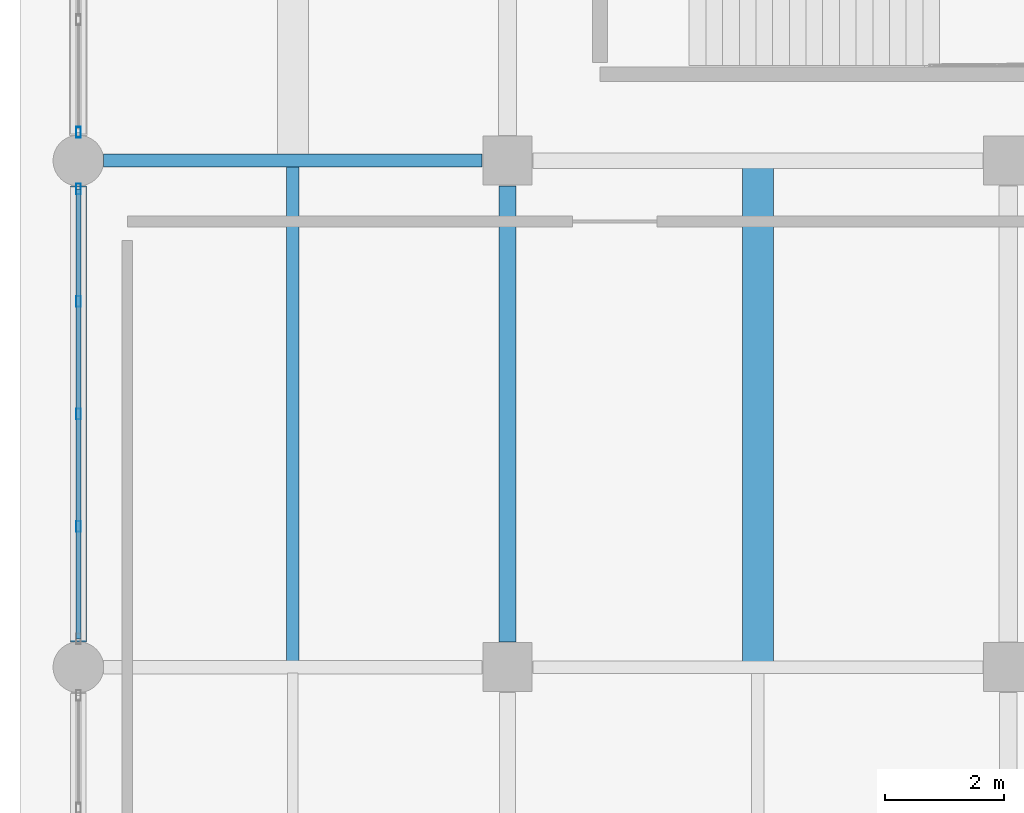
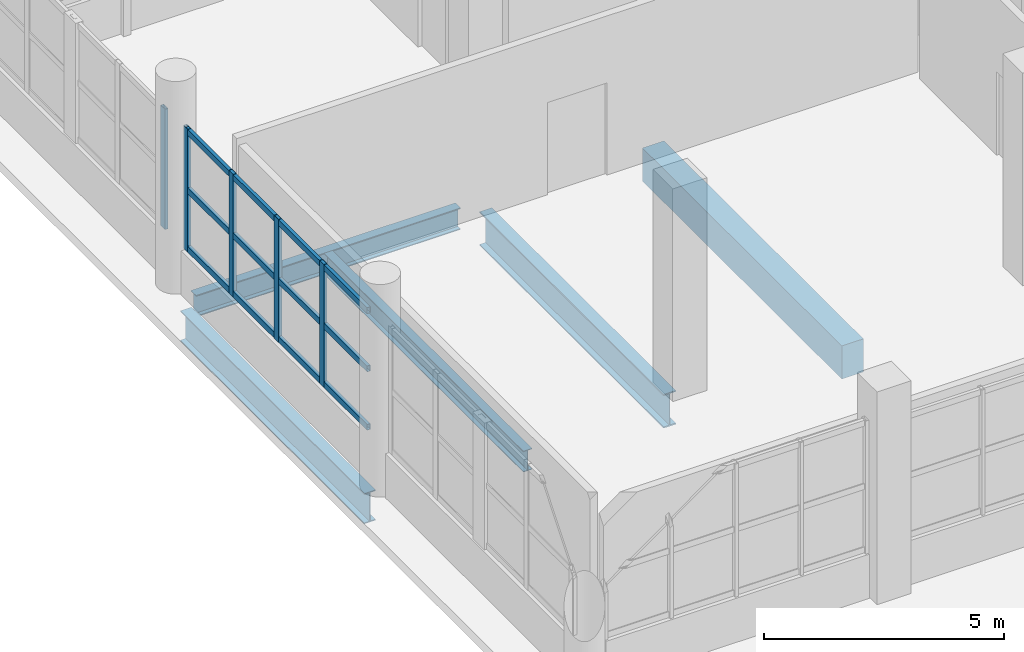
# One storey, part 24 of 107: 8 members, 5 beams, 2 elements without a shape of their own.
"""IFC4 building model written with IfcOpenShell, lengths in metres."""

import ifcopenshell
import ifcopenshell.guid

model = None  # the IFC model being written
_history = None  # IfcOwnerHistory: only IFC2X3 demands one
_inside = {}  # id of a spatial element -> (the spatial element, [elements in it])
_under = {}  # id of a project, library or spatial element -> (it, [spatial elements below it])
_declared = {}  # id of a project -> (the project, [libraries it declares])
_typed = {}  # id of a type object -> (the type object, [elements of that type])
_made_of = {}  # id of a material, layer set ... -> (it, [elements and type objects made of it])


def new_model(schema):
    """Start an empty IFC model of exactly this schema.

    Asked for "IFC4X3", IfcOpenShell would pick the latest addendum, in which some entities
    have other attributes; the version numbers below select the first issue.
    IFC2X3 requires an IfcOwnerHistory on every rooted entity: one is made here for all.
    """
    global model, _history
    if schema == "IFC4X3":
        model = ifcopenshell.file(schema_version=(4, 3, 0, 0))
    else:
        model = ifcopenshell.file(schema=schema)
    _inside.clear()
    _under.clear()
    _declared.clear()
    _typed.clear()
    _made_of.clear()
    _history = None
    if model.schema == "IFC2X3":
        org = make("IfcOrganization", Name="unknown")
        user = make(
            "IfcPersonAndOrganization",
            ThePerson=make("IfcPerson", FamilyName="unknown"),
            TheOrganization=org,
        )
        app = make(
            "IfcApplication",
            ApplicationDeveloper=org,
            Version="unknown",
            ApplicationFullName="unknown",
            ApplicationIdentifier="unknown",
        )
        _history = make(
            "IfcOwnerHistory",
            OwningUser=user,
            OwningApplication=app,
            ChangeAction="ADDED",
            CreationDate=0,
        )
    return model


def make(cls, **values):
    """One entity of the class cls with the attributes given. An attribute that is None is left unset."""
    return model.create_entity(
        cls, **{name: value for name, value in values.items() if value is not None}
    )


def rooted(cls, **values):
    """An entity with a GlobalId (a new one), such as an element, a storey or a relation."""
    return make(cls, GlobalId=ifcopenshell.guid.new(), OwnerHistory=_history, **values)


def si_unit(unit_type, name, prefix=None):
    """IfcSIUnit, for example si_unit("LENGTHUNIT", "METRE", prefix="MILLI")."""
    return make("IfcSIUnit", UnitType=unit_type, Prefix=prefix, Name=name)


def assignment(units):
    """IfcUnitAssignment: the units of a project."""
    return None if units is None else make("IfcUnitAssignment", Units=units)


def point(xyz):
    """IfcCartesianPoint."""
    return None if xyz is None else make("IfcCartesianPoint", Coordinates=xyz)


def direction(xyz):
    """IfcDirection."""
    return None if xyz is None else make("IfcDirection", DirectionRatios=xyz)


def frame(location, z_axis=None, x_axis=None):
    """IfcAxis2Placement3D, a coordinate frame: its origin and axes. An axis left out is left unset."""
    return make(
        "IfcAxis2Placement3D",
        Location=point(location),
        Axis=direction(z_axis),
        RefDirection=direction(x_axis),
    )


def frame_2d(location, x_axis=None):
    """IfcAxis2Placement2D, a coordinate frame in the plane: its origin and x axis."""
    return make(
        "IfcAxis2Placement2D", Location=point(location), RefDirection=direction(x_axis)
    )


def origin():
    """The frame at (0, 0, 0) with its axes left unset."""
    return frame((0.0, 0.0, 0.0))


def origin_2d():
    """The frame at (0, 0) in the plane with its x axis left unset."""
    return frame_2d((0.0, 0.0))


def place(relative_to, where):
    """IfcLocalPlacement: puts the frame where relative to a parent placement (None: the world)."""
    return make(
        "IfcLocalPlacement", PlacementRelTo=relative_to, RelativePlacement=where
    )


def context(
    kind, dimensions, precision=None, world=None, true_north=None, identifier=None
):
    """IfcGeometricRepresentationContext, for example the 3D "Model" context."""
    return make(
        "IfcGeometricRepresentationContext",
        ContextIdentifier=identifier,
        ContextType=kind,
        CoordinateSpaceDimension=dimensions,
        Precision=precision,
        WorldCoordinateSystem=world,
        TrueNorth=true_north,
    )


def subcontext(parent, identifier, kind, view, scale=None):
    """IfcGeometricRepresentationSubContext, for example "Body" below "Model"."""
    return make(
        "IfcGeometricRepresentationSubContext",
        ContextIdentifier=identifier,
        ContextType=kind,
        ParentContext=parent,
        TargetScale=scale,
        TargetView=view,
    )


def project(units=None, contexts=None):
    """IfcProject with its units and contexts."""
    return rooted(
        "IfcProject",
        Name="project",
        RepresentationContexts=contexts,
        UnitsInContext=assignment(units),
    )


def spatial(cls, under=None, at=None, **own):
    """A site, building, storey or space (cls), placed at a placement, below another one or the project."""
    s = rooted(cls, ObjectPlacement=at, **own)
    if under is not None:
        _under.setdefault(under.id(), (under, []))[1].append(s)
    return s


def profile(cls, at=None, kind="AREA", **sizes):
    """A parametric profile (cls). Its sizes go by their IFC names, for example OverallWidth=200.0."""
    return make(cls, ProfileType=kind, Position=at, **sizes)


def rectangle(**sizes):
    """IfcRectangleProfileDef."""
    return profile("IfcRectangleProfileDef", **sizes)


def hollow_rectangle(**sizes):
    """IfcRectangleHollowProfileDef."""
    return profile("IfcRectangleHollowProfileDef", **sizes)


def i_section(**sizes):
    """IfcIShapeProfileDef."""
    return profile("IfcIShapeProfileDef", **sizes)


def extrude(swept, where, along, depth):
    """IfcExtrudedAreaSolid: the profile swept, set in the frame where, extruded along a direction by depth."""
    return make(
        "IfcExtrudedAreaSolid",
        SweptArea=swept,
        Position=where,
        ExtrudedDirection=direction(along),
        Depth=depth,
    )


def shape(context_of_items, identifier, shape_type, items):
    """IfcShapeRepresentation: the items that make up one representation, for example the "Body"."""
    return make(
        "IfcShapeRepresentation",
        ContextOfItems=context_of_items,
        RepresentationIdentifier=identifier,
        RepresentationType=shape_type,
        Items=items,
    )


def material(Name=None, Category=None):
    """IfcMaterial."""
    return make("IfcMaterial", Name=Name, Category=Category)


def material_profile(
    of_material, cross_section, Name=None, Category=None, Priority=None
):
    """IfcMaterialProfile: a cross section and its material."""
    return make(
        "IfcMaterialProfile",
        Name=Name,
        Material=of_material,
        Profile=cross_section,
        Priority=Priority,
        Category=Category,
    )


def profile_set(profiles, Name=None, composite=None):
    """IfcMaterialProfileSet."""
    return make(
        "IfcMaterialProfileSet",
        Name=Name,
        MaterialProfiles=profiles,
        CompositeProfile=composite,
    )


def made_of(thing, what):
    """Note that an element or type object is made of a material, layer set ...; save() writes the relation."""
    if what is not None:
        _made_of.setdefault(what.id(), (what, []))[1].append(thing)
    return thing


def type_object(cls, material=None, **own):
    """A type object (cls), such as IfcWallType, which elements share."""
    return made_of(rooted(cls, **own), material)


def element(
    cls,
    number,
    at=None,
    inside=None,
    cuts=None,
    type_object=None,
    material=None,
    context=None,
    identifier="Body",
    shape_type=None,
    held_by="IfcProductDefinitionShape",
    body=None,
    shapes=None,
    **own,
):
    """One element of the class cls, such as IfcWall. Its Tag is "e" and its number.

    at: its placement. inside: the storey or other place that contains it. cuts: it is an
    opening in that element (IfcRelVoidsElement). A single representation is given by context,
    identifier, shape_type and body (its items); several are given by shapes. held_by: the class
    of the entity that holds the representations. save() writes the other relations.
    """
    e = rooted(cls, Tag="e%d" % number, ObjectPlacement=at, **own)
    if body is not None:
        shapes = [shape(context, identifier, shape_type, body)]
    if shapes is not None:
        e.Representation = make(held_by, Representations=shapes)
    if inside is not None:
        _inside.setdefault(inside.id(), (inside, []))[1].append(e)
    if cuts is not None:
        rooted(
            "IfcRelVoidsElement", RelatingBuildingElement=cuts, RelatedOpeningElement=e
        )
    if type_object is not None:
        _typed.setdefault(type_object.id(), (type_object, []))[1].append(e)
    return made_of(e, material)


def aggregate(whole, parts):
    """IfcRelAggregates: a whole, such as a stair, and the parts it consists of."""
    return rooted("IfcRelAggregates", RelatingObject=whole, RelatedObjects=parts)


def save(model, path):
    """Write the relations noted so far, then the file.

    IfcRelAggregates (storeys below a building ...), IfcRelContainedInSpatialStructure (elements
    in a storey), IfcRelDefinesByType, IfcRelAssociatesMaterial and IfcRelDeclares: one each for
    every whole, place, type object, material and project.
    """
    for whole, parts in _under.values():
        aggregate(whole, parts)
    for where, things in _inside.values():
        rooted(
            "IfcRelContainedInSpatialStructure",
            RelatedElements=things,
            RelatingStructure=where,
        )
    for kind, things in _typed.values():
        rooted("IfcRelDefinesByType", RelatedObjects=things, RelatingType=kind)
    for what, things in _made_of.values():
        rooted("IfcRelAssociatesMaterial", RelatedObjects=things, RelatingMaterial=what)
    for by, libraries in _declared.values():
        rooted("IfcRelDeclares", RelatingContext=by, RelatedDefinitions=libraries)
    model.write(path)


model = new_model("IFC4")

# Units and contexts
model_context = context("Model", 3, precision=1e-05, world=origin(), true_north=direction((0.0, 1.0)))
body_context = subcontext(model_context, "Body", "Model", "MODEL_VIEW")
ifc_project = project(units=[si_unit("LENGTHUNIT", "METRE"), si_unit("AREAUNIT", "SQUARE_METRE"), si_unit("VOLUMEUNIT", "CUBIC_METRE"), si_unit("PLANEANGLEUNIT", "RADIAN"), si_unit("MASSUNIT", "GRAM", prefix="KILO")], contexts=[model_context])

# Site, building, storey
site_placement = place(None, origin())
site = spatial("IfcSite", under=ifc_project, at=site_placement, CompositionType="ELEMENT")
building_placement = place(site_placement, origin())
building = spatial("IfcBuilding", under=site, at=building_placement, Name="Solvento Point Concert Hall", CompositionType="ELEMENT")
storey_placement = place(building_placement, origin())
storey = spatial("IfcBuildingStorey", under=building, at=storey_placement, Name="L00", CompositionType="ELEMENT", Elevation=0.0)

# Beams
ifc_material_1 = material(Name="Concrete C35/45", Category="concrete")
ifc_material_profile_1 = material_profile(ifc_material_1, rectangle(XDim=0.52001953125, YDim=0.840087890625, at=origin_2d()), Name="RC-BM-520X840")
ifc_profile_set_1 = profile_set([ifc_material_profile_1], Name="Concrete C35/45")
beam_type_1 = type_object("IfcBeamType", Name="Beam_RC_520x840", PredefinedType="BEAM", material=ifc_profile_set_1)
beam_1_placement = place(storey_placement, frame((11.39990234375, 119.092041015625, -0.833984375), z_axis=(0.0, 1.0, 0.0), x_axis=(-1.0, 0.0, 0.0)))
element("IfcBeam", 1, at=beam_1_placement, inside=storey, type_object=beam_type_1, Name="Secondary floor joist B-54 L00", PredefinedType="BEAM", context=body_context, shape_type="SweptSolid", body=[
    extrude(rectangle(XDim=0.52001953125, YDim=0.840087890625, at=origin_2d()), origin(), (0.0, 0.0, 1.0), 8.294921875),
])
ifc_material_2 = material(Name="Structural Steel ASTM A992 Grade 50", Category="steel")
ifc_material_profile_2 = material_profile(ifc_material_2, i_section(OverallWidth=0.20947265625, OverallDepth=0.532958984375, WebThickness=0.01025390625, FlangeThickness=0.015625, at=origin_2d()), Name="W21X62")
ifc_profile_set_2 = profile_set([ifc_material_profile_2], Name="Structural Steel ASTM A992 Grade 50")
beam_type_2 = type_object("IfcBeamType", Name="Beam_W21X62", PredefinedType="BEAM", material=ifc_profile_set_2)
beam_2_placement = place(storey_placement, frame((3.60009765625, 119.09912109375, -0.680419921875), z_axis=(0.0, 1.0, 0.0), x_axis=(-1.0, 0.0, 0.0)))
element("IfcBeam", 2, at=beam_2_placement, inside=storey, type_object=beam_type_2, Name="Secondary floor joist B-25 L00", PredefinedType="BEAM", context=body_context, shape_type="SweptSolid", body=[
    extrude(i_section(OverallWidth=0.20947265625, OverallDepth=0.532958984375, WebThickness=0.01025390625, FlangeThickness=0.015625, at=origin_2d()), origin(), (0.0, 0.0, 1.0), 8.308837890625),
])
ifc_material_3 = material(Name="Structural Steel ASTM A992 Grade 50", Category="steel")
ifc_material_profile_3 = material_profile(ifc_material_3, i_section(OverallWidth=0.214111328125, OverallDepth=0.549072265625, WebThickness=0.0146484375, FlangeThickness=0.023681640625, at=origin_2d()), Name="W21X93")
ifc_profile_set_3 = profile_set([ifc_material_profile_3], Name="Structural Steel ASTM A992 Grade 50")
beam_type_3 = type_object("IfcBeamType", Name="Beam_W21X93", PredefinedType="BEAM", material=ifc_profile_set_3)
beam_3_placement = place(storey_placement, frame((0.424072265625, 127.5, -0.6884765625), z_axis=(1.0, 0.0, 0.0), x_axis=(0.0, 1.0, 0.0)))
element("IfcBeam", 3, at=beam_3_placement, inside=storey, type_object=beam_type_3, Name="Primary girder B-48 L00", PredefinedType="BEAM", context=body_context, shape_type="SweptSolid", body=[
    extrude(i_section(OverallWidth=0.214111328125, OverallDepth=0.549072265625, WebThickness=0.0146484375, FlangeThickness=0.023681640625, at=origin_2d()), origin(), (0.0, 0.0, 1.0), 6.351806640625),
])
ifc_material_4 = material(Name="Structural Steel ASTM A992 Grade 50", Category="steel")
ifc_material_profile_4 = material_profile(ifc_material_4, i_section(OverallWidth=0.26806640625, OverallDepth=0.77001953125, WebThickness=0.015625, FlangeThickness=0.025390625, at=origin_2d()), Name="W30X132")
ifc_profile_set_4 = profile_set([ifc_material_profile_4], Name="Structural Steel ASTM A992 Grade 50")
beam_type_4 = type_object("IfcBeamType", Name="Girder_W30X132", PredefinedType="USERDEFINED", material=ifc_profile_set_4)
beam_4_placement = place(storey_placement, frame((0.0, 119.424072265625, -0.799072265625), z_axis=(0.0, 1.0, 0.0), x_axis=(-1.0, 0.0, 0.0)))
element("IfcBeam", 4, at=beam_4_placement, inside=storey, type_object=beam_type_4, Name="Primary girder B-68 L00", ObjectType="GIRDER", PredefinedType="USERDEFINED", context=body_context, shape_type="SweptSolid", body=[
    extrude(i_section(OverallWidth=0.26806640625, OverallDepth=0.77001953125, WebThickness=0.015625, FlangeThickness=0.025390625, at=origin_2d()), origin(), (0.0, 0.0, 1.0), 7.65185546875),
])
ifc_material_5 = material(Name="Structural Steel ASTM A992 Grade 50", Category="steel")
ifc_material_profile_5 = material_profile(ifc_material_5, i_section(OverallWidth=0.2919921875, OverallDepth=0.85888671875, WebThickness=0.01708984375, FlangeThickness=0.031005859375, at=origin_2d()), Name="W33X169")
ifc_profile_set_5 = profile_set([ifc_material_profile_5], Name="Structural Steel ASTM A992 Grade 50")
beam_type_5 = type_object("IfcBeamType", Name="Girder_W33X169", PredefinedType="USERDEFINED", material=ifc_profile_set_5)
beam_5_placement = place(storey_placement, frame((7.199951171875, 119.424072265625, -0.843505859375), z_axis=(0.0, 1.0, 0.0), x_axis=(-1.0, 0.0, 0.0)))
element("IfcBeam", 5, at=beam_5_placement, inside=storey, type_object=beam_type_5, Name="Primary girder B-33 L00", ObjectType="GIRDER", PredefinedType="USERDEFINED", context=body_context, shape_type="SweptSolid", body=[
    extrude(i_section(OverallWidth=0.2919921875, OverallDepth=0.85888671875, WebThickness=0.01708984375, FlangeThickness=0.031005859375, at=origin_2d()), origin(), (0.0, 0.0, 1.0), 7.65185546875),
])

# Curtain wall, members
ifc_material_6 = material(Name="Anodized Bronze Aluminium", Category="aluminium")
curtain_wall_type = type_object("IfcCurtainWallType", Name="CurtainWall_CourtPilotis", PredefinedType="USERDEFINED", material=ifc_material_6)
curtain_wall_1_placement = place(storey_placement, origin())
curtain_wall_1 = element("IfcCurtainWall", 6, at=curtain_wall_1_placement, inside=storey, type_object=curtain_wall_type, Name="Unitised curtain wall CW-96 UCW-L00-071", ObjectType="UNITISED CURTAIN WALL", PredefinedType="USERDEFINED")
ifc_material_7 = material(Name="Anodized Bronze Aluminium", Category="aluminium")
ifc_material_profile_6 = material_profile(ifc_material_7, hollow_rectangle(XDim=0.080078125, YDim=0.179931640625, WallThickness=0.00390625, at=origin_2d()), Name="CW-MUL-80X180")
ifc_profile_set_6 = profile_set([ifc_material_profile_6], Name="Anodized Bronze Aluminium")
member_type_1 = type_object("IfcMemberType", Name="Mullion_80x180", PredefinedType="MULLION", material=ifc_profile_set_6)
member_1_placement = place(storey_placement, frame((0.0, 121.362548828125, 1.1201171875), z_axis=(0.0, 0.0, 1.0), x_axis=(1.0, 0.0, 0.0)))
member_1 = element("IfcMember", 7, at=member_1_placement, type_object=member_type_1, Name="Curtain wall mullion ML-01", PredefinedType="MULLION", context=body_context, shape_type="SweptSolid", body=[
    extrude(hollow_rectangle(XDim=0.080078125, YDim=0.179931640625, WallThickness=0.00390625, at=origin_2d()), origin(), (0.0, 0.0, 1.0), 3.125),
])
member_2_placement = place(storey_placement, frame((0.0, 123.25, 1.1201171875), z_axis=(0.0, 0.0, 1.0), x_axis=(1.0, 0.0, 0.0)))
member_2 = element("IfcMember", 8, at=member_2_placement, type_object=member_type_1, Name="Curtain wall mullion ML-01", PredefinedType="MULLION", context=body_context, shape_type="SweptSolid", body=[
    extrude(hollow_rectangle(XDim=0.080078125, YDim=0.179931640625, WallThickness=0.00390625, at=origin_2d()), origin(), (0.0, 0.0, 1.0), 3.125),
])
member_3_placement = place(storey_placement, frame((0.0, 125.137451171875, 1.1201171875), z_axis=(0.0, 0.0, 1.0), x_axis=(1.0, 0.0, 0.0)))
member_3 = element("IfcMember", 9, at=member_3_placement, type_object=member_type_1, Name="Curtain wall mullion ML-01", PredefinedType="MULLION", context=body_context, shape_type="SweptSolid", body=[
    extrude(hollow_rectangle(XDim=0.080078125, YDim=0.179931640625, WallThickness=0.00390625, at=origin_2d()), origin(), (0.0, 0.0, 1.0), 3.125),
])
member_4_placement = place(storey_placement, frame((0.0, 127.02490234375, 1.1201171875), z_axis=(0.0, 0.0, 1.0), x_axis=(1.0, 0.0, 0.0)))
member_4 = element("IfcMember", 10, at=member_4_placement, type_object=member_type_1, Name="Curtain wall mullion ML-01", PredefinedType="MULLION", context=body_context, shape_type="SweptSolid", body=[
    extrude(hollow_rectangle(XDim=0.080078125, YDim=0.179931640625, WallThickness=0.00390625, at=origin_2d()), origin(), (0.0, 0.0, 1.0), 3.125),
])

# Curtain wall, member
curtain_wall_2_placement = place(storey_placement, origin())
curtain_wall_2 = element("IfcCurtainWall", 11, at=curtain_wall_2_placement, inside=storey, type_object=curtain_wall_type, Name="Unitised curtain wall CW-96 UCW-L00-072", ObjectType="UNITISED CURTAIN WALL", PredefinedType="USERDEFINED")
member_5_placement = place(storey_placement, frame((0.0, 127.97509765625, 1.1201171875), z_axis=(0.0, 0.0, 1.0), x_axis=(1.0, 0.0, 0.0)))
member_5 = element("IfcMember", 12, at=member_5_placement, type_object=member_type_1, Name="Curtain wall mullion ML-01", PredefinedType="MULLION", context=body_context, shape_type="SweptSolid", body=[
    extrude(hollow_rectangle(XDim=0.080078125, YDim=0.179931640625, WallThickness=0.00390625, at=origin_2d()), origin(), (0.0, 0.0, 1.0), 3.056884765625),
])
aggregate(curtain_wall_2, [member_5])

# Member
ifc_material_8 = material(Name="Anodized Bronze Aluminium", Category="aluminium")
ifc_material_profile_7 = material_profile(ifc_material_8, hollow_rectangle(XDim=0.080078125, YDim=0.14990234375, WallThickness=0.00390625, at=origin_2d()), Name="CW-TRN-80X150")
ifc_profile_set_7 = profile_set([ifc_material_profile_7], Name="Anodized Bronze Aluminium")
member_type_2 = type_object("IfcMemberType", Name="Transom_80x150", PredefinedType="USERDEFINED", material=ifc_profile_set_7)
member_6_placement = place(storey_placement, frame((0.0, 119.47509765625, 1.199951171875), z_axis=(0.0, 1.0, 0.0), x_axis=(-1.0, 0.0, 0.0)))
member_6 = element("IfcMember", 13, at=member_6_placement, type_object=member_type_2, Name="Curtain wall transom TR-01", ObjectType="TRANSOM", PredefinedType="USERDEFINED", context=body_context, shape_type="SweptSolid", body=[
    extrude(hollow_rectangle(XDim=0.080078125, YDim=0.14990234375, WallThickness=0.00390625, at=origin_2d()), origin(), (0.0, 0.0, 1.0), 7.5498046875),
])

member_7_placement = place(storey_placement, frame((0.0, 119.47509765625, 2.6826171875), z_axis=(0.0, 1.0, 0.0), x_axis=(-1.0, 0.0, 0.0)))
member_7 = element("IfcMember", 14, at=member_7_placement, type_object=member_type_2, Name="Curtain wall transom TR-01", ObjectType="TRANSOM", PredefinedType="USERDEFINED", context=body_context, shape_type="SweptSolid", body=[
    extrude(hollow_rectangle(XDim=0.080078125, YDim=0.14990234375, WallThickness=0.00390625, at=origin_2d()), origin(), (0.0, 0.0, 1.0), 7.5498046875),
])

member_8_placement = place(storey_placement, frame((0.0, 119.47509765625, 4.1650390625), z_axis=(0.0, 1.0, 0.0), x_axis=(-1.0, 0.0, 0.0)))
member_8 = element("IfcMember", 15, at=member_8_placement, type_object=member_type_2, Name="Curtain wall transom TR-01", ObjectType="TRANSOM", PredefinedType="USERDEFINED", context=body_context, shape_type="SweptSolid", body=[
    extrude(hollow_rectangle(XDim=0.080078125, YDim=0.14990234375, WallThickness=0.00390625, at=origin_2d()), origin(), (0.0, 0.0, 1.0), 7.5498046875),
])

aggregate(curtain_wall_1, [member_1, member_2, member_3, member_4, member_6, member_7, member_8])

save(model, "model.ifc")
